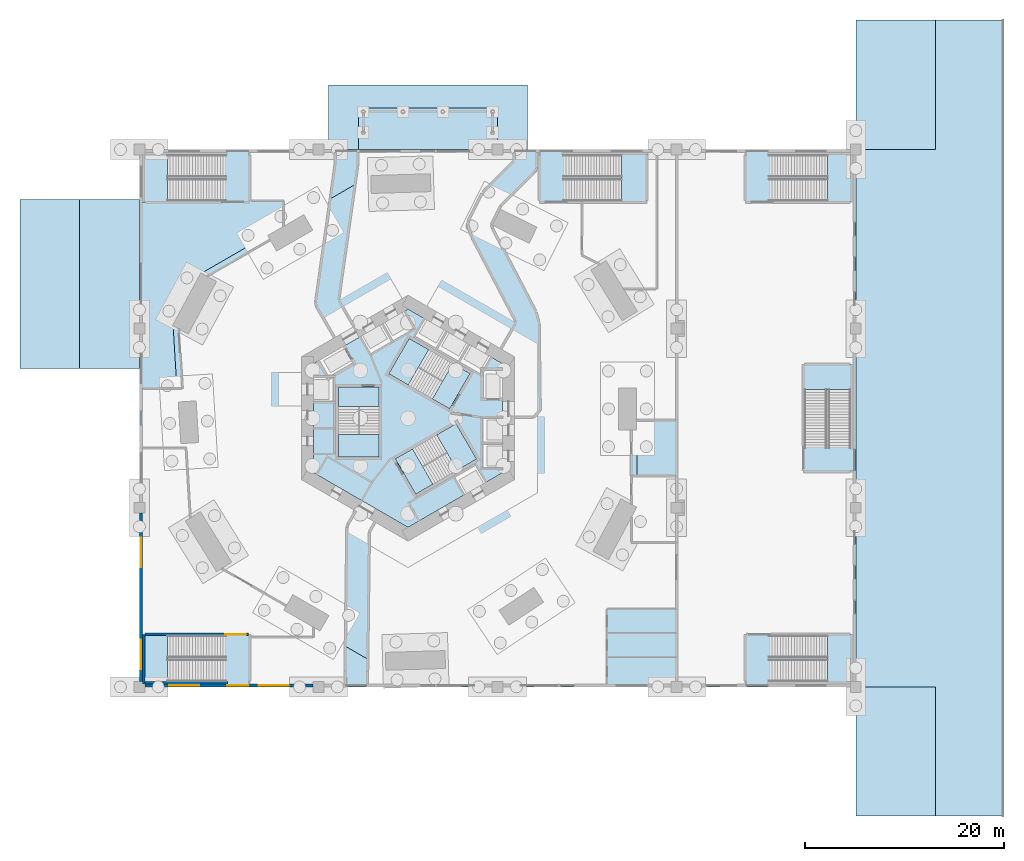
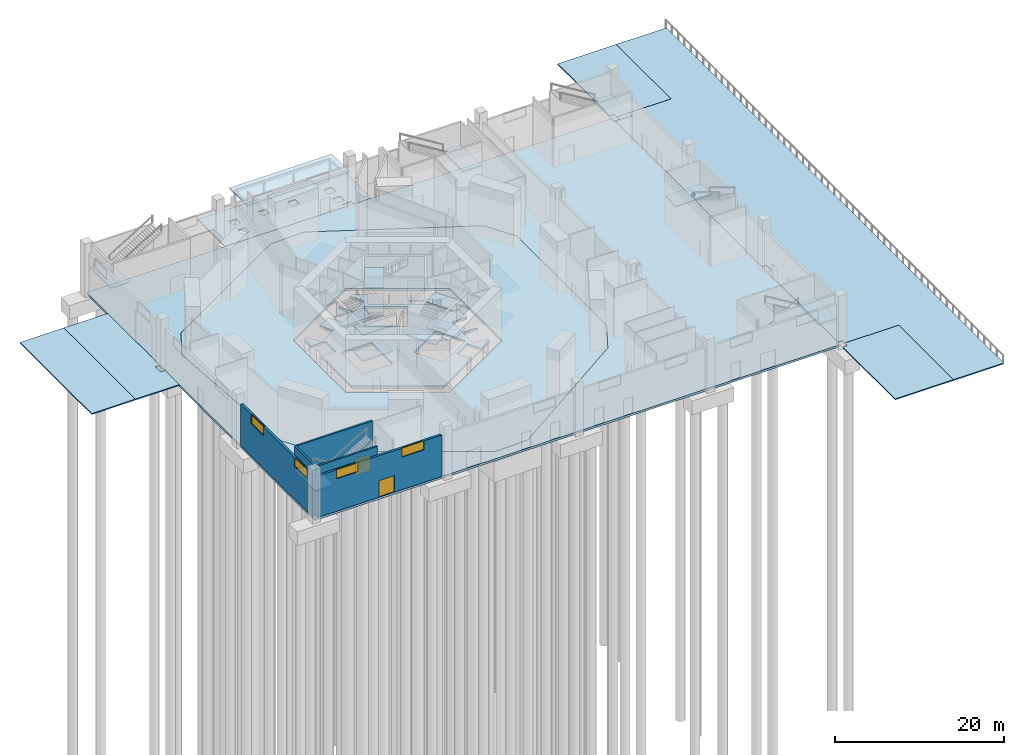
# One storey, part 5 of 16: 25 slabs, 5 walls, 4 windows, 2 doors, 6 openings, 9 elements without a shape of their own.
"""IFC4 building model written with IfcOpenShell, lengths in metres."""

from ifc_helpers import new_model, si_unit, direction, frame, frame_2d, origin, place, context, subcontext, project, spatial, polyline, rectangle, outline, extrude, material, layer, layer_set, type_object, element, fill, aggregate, save


model = new_model("IFC4")

# Units and contexts
model_context = context("Model", 3, precision=1e-05, world=origin(), true_north=direction((0.0, 1.0)))
body_context = subcontext(model_context, "Body", "Model", "MODEL_VIEW")
ifc_project = project(units=[si_unit("LENGTHUNIT", "METRE"), si_unit("AREAUNIT", "SQUARE_METRE"), si_unit("VOLUMEUNIT", "CUBIC_METRE"), si_unit("PLANEANGLEUNIT", "RADIAN"), si_unit("MASSUNIT", "GRAM", prefix="KILO")], contexts=[model_context])

# Site, building, storey
site_placement = place(None, origin())
site = spatial("IfcSite", under=ifc_project, at=site_placement, CompositionType="ELEMENT")
building_placement = place(site_placement, origin())
building = spatial("IfcBuilding", under=site, at=building_placement, Name="Vanh Sen Convention Tower", CompositionType="ELEMENT")
storey_placement = place(building_placement, origin())
storey = spatial("IfcBuildingStorey", under=building, at=storey_placement, Name="L00", CompositionType="ELEMENT", Elevation=0.0)

# Slabs
ifc_material_1 = material(Name="Concrete C40/50", Category="concrete")
ifc_layer_1 = layer(ifc_material_1, 0.300048828125)
ifc_layer_set_1 = layer_set([ifc_layer_1], Name="Concrete C40/50")
slab_type_1 = type_object("IfcSlabType", Name="Core ground slab 300", PredefinedType="BASESLAB", material=ifc_layer_set_1)
slab_1_placement = place(storey_placement, frame((0.0, 0.0, -0.300048828125)))
element("IfcSlab", 1, at=slab_1_placement, inside=storey, type_object=slab_type_1, Name="Core slab L00", PredefinedType="BASESLAB", context=body_context, shape_type="SweptSolid", body=[
    extrude(outline(polyline([(9.5, 5.48486328125), (9.5, 4.800048828125), (7.60009765625, 4.800048828125), (7.60009765625, 2.050048828125), (9.5, 2.050048828125), (9.5, 0.0), (7.5, 0.0), (7.5, -2.39990234375), (9.5, -2.39990234375), (9.5, -2.60009765625), (7.5, -2.60009765625), (7.5, -5.0), (9.5, -5.0), (9.5, -5.48486328125), (0.0, -10.9697265625), (-9.5, -5.48486328125), (-9.5, 1.699951171875), (-7.5, 1.699951171875), (-7.5, 4.10009765625), (-9.5, 4.10009765625), (-9.5, 5.48486328125), (-8.906982421875, 5.8271484375), (-7.956787109375, 4.181884765625), (-5.575439453125, 5.556884765625), (-6.525390625, 7.2021484375), (-4.75, 8.227294921875), (-3.75, 6.4951171875), (-1.67138671875, 7.6953125), (-2.67138671875, 9.42724609375), (-2.498291015625, 9.527099609375), (-1.498291015625, 7.795166015625), (0.580078125, 8.9951171875), (-0.419921875, 10.727294921875), (0.0, 10.9697265625), (1.718994140625, 9.977294921875), (0.718994140625, 8.2451171875), (2.79736328125, 7.045166015625), (3.79736328125, 8.777099609375), (3.970703125, 8.67724609375), (2.970703125, 6.9453125), (5.049072265625, 5.7451171875), (6.049072265625, 7.477294921875), (6.22216796875, 7.377197265625), (5.22216796875, 5.645263671875), (7.30078125, 4.4453125), (8.30078125, 6.17724609375), (9.5, 5.48486328125)]), holes=[polyline([(-7.0, 3.14990234375), (-7.0, -3.909912109375), (-2.89990234375, -3.909912109375), (-2.89990234375, 3.14990234375), (-2.89990234375, 1.1494140625), (-7.0, 1.1494140625), (-7.0, 3.14990234375)]), polyline([(4.495361328125, 5.487548828125), (6.22802734375, 4.4873046875), (0.11376953125, 8.01708984375), (-1.936279296875, 4.466552734375), (2.4453125, 1.936767578125), (4.495361328125, 5.487548828125)]), polyline([(7.781005859375, -6.477294921875), (6.781005859375, -4.7451171875), (4.70263671875, -5.9453125), (5.70263671875, -7.67724609375), (7.781005859375, -6.477294921875)]), polyline([(0.45458984375, -3.086181640625), (2.504638671875, -6.63671875), (6.88623046875, -4.107177734375), (4.836181640625, -0.556396484375), (-1.278076171875, -4.08642578125), (0.45458984375, -3.086181640625)])]), origin(), (0.0, 0.0, 1.0), 0.300048828125),
])
ifc_material_2 = material(Name="Steel S355", Category="steel")
ifc_layer_2 = layer(ifc_material_2, 0.199951171875)
ifc_layer_set_2 = layer_set([ifc_layer_2], Name="Steel S355")
slab_type_2 = type_object("IfcSlabType", Name="Entrance canopy 200", PredefinedType="USERDEFINED", material=ifc_layer_set_2)
slab_2_placement = place(storey_placement, frame((0.0, 0.0, 4.699951171875)))
element("IfcSlab", 2, at=slab_2_placement, inside=storey, type_object=slab_type_2, Name="Drop-off canopy", ObjectType="CANOPY", PredefinedType="USERDEFINED", context=body_context, shape_type="SweptSolid", body=[
    extrude(outline(polyline([(-5.0, 27.0), (9.0, 27.0), (9.0, 31.199951171875), (-5.0, 31.199951171875), (-5.0, 27.0)])), origin(), (0.0, 0.0, 1.0), 0.199951171875),
])
ifc_material_3 = material(Name="Granite paving on a bedding course", Category="masonry")
ifc_layer_3 = layer(ifc_material_3, 0.14990234375)
ifc_layer_set_3 = layer_set([ifc_layer_3], Name="Granite paving on a bedding course")
slab_type_3 = type_object("IfcSlabType", Name="Granite paving 150", PredefinedType="USERDEFINED", material=ifc_layer_set_3)
slab_3_placement = place(storey_placement, frame((0.0, 0.0, -0.14990234375)))
element("IfcSlab", 3, at=slab_3_placement, inside=storey, type_object=slab_type_3, Name="Paving promenade", ObjectType="PAVING", PredefinedType="USERDEFINED", context=body_context, shape_type="SweptSolid", body=[
    extrude(outline(polyline([(45.0, -26.39990234375), (45.60009765625, -26.39990234375), (45.60009765625, -27.0), (53.0, -27.0), (53.0, -40.0), (59.89990234375, -40.0), (59.89990234375, 40.0), (53.0, 40.0), (53.0, 27.0), (45.60009765625, 27.0), (45.60009765625, 26.39990234375), (45.0, 26.39990234375), (45.0, 9.60009765625), (45.60009765625, 9.60009765625), (45.60009765625, 8.39990234375), (45.0, 8.39990234375), (45.0, -8.39990234375), (45.60009765625, -8.39990234375), (45.60009765625, -9.60009765625), (45.0, -9.60009765625), (45.0, -26.39990234375)])), origin(), (0.0, 0.0, 1.0), 0.14990234375),
])
slab_4_placement = place(storey_placement, frame((0.0, 0.0, -0.14990234375)))
element("IfcSlab", 4, at=slab_4_placement, inside=storey, type_object=slab_type_3, Name="Paving north apron", ObjectType="PAVING", PredefinedType="USERDEFINED", context=body_context, shape_type="SweptSolid", body=[
    extrude(outline(polyline([(45.0, 27.60009765625), (45.60009765625, 27.60009765625), (45.60009765625, 27.0), (53.0, 27.0), (53.0, 40.0), (45.0, 40.0), (45.0, 27.60009765625)])), origin(), (0.0, 0.0, 1.0), 0.14990234375),
])
slab_5_placement = place(storey_placement, frame((0.0, 0.0, -0.14990234375)))
element("IfcSlab", 5, at=slab_5_placement, inside=storey, type_object=slab_type_3, Name="Paving south apron", ObjectType="PAVING", PredefinedType="USERDEFINED", context=body_context, shape_type="SweptSolid", body=[
    extrude(outline(polyline([(45.60009765625, -27.0), (45.60009765625, -27.60009765625), (45.0, -27.60009765625), (45.0, -40.0), (53.0, -40.0), (53.0, -27.0), (45.60009765625, -27.0)])), origin(), (0.0, 0.0, 1.0), 0.14990234375),
])
slab_6_placement = place(storey_placement, frame((0.0, 0.0, -0.14990234375)))
element("IfcSlab", 6, at=slab_6_placement, inside=storey, type_object=slab_type_3, Name="Paving service yard", ObjectType="PAVING", PredefinedType="USERDEFINED", context=body_context, shape_type="SweptSolid", body=[
    extrude(outline(polyline([(-33.0, 5.0), (-33.0, 22.0), (-39.0, 22.0), (-39.0, 5.0), (-33.0, 5.0)])), origin(), (0.0, 0.0, 1.0), 0.14990234375),
])
slab_7_placement = place(storey_placement, frame((0.0, 0.0, -0.14990234375)))
element("IfcSlab", 7, at=slab_7_placement, inside=storey, type_object=slab_type_3, Name="Paving loading apron", ObjectType="PAVING", PredefinedType="USERDEFINED", context=body_context, shape_type="SweptSolid", body=[
    extrude(outline(polyline([(-27.0, 8.39990234375), (-27.60009765625, 8.39990234375), (-27.60009765625, 9.60009765625), (-27.0, 9.60009765625), (-27.0, 22.0), (-33.0, 22.0), (-33.0, 5.0), (-27.0, 5.0), (-27.0, 8.39990234375)])), origin(), (0.0, 0.0, 1.0), 0.14990234375),
])
slab_8_placement = place(storey_placement, frame((0.0, 0.0, -0.14990234375)))
element("IfcSlab", 8, at=slab_8_placement, inside=storey, type_object=slab_type_3, Name="Paving north forecourt", ObjectType="PAVING", PredefinedType="USERDEFINED", context=body_context, shape_type="SweptSolid", body=[
    extrude(outline(polyline([(-8.0, 27.0), (8.39990234375, 27.0), (8.39990234375, 27.60009765625), (9.60009765625, 27.60009765625), (9.60009765625, 27.0), (12.0, 27.0), (12.0, 33.5), (-8.0, 33.5), (-8.0, 27.0)]), holes=[polyline([(-4.0, 28.199951171875), (-4.0, 29.199951171875), (-5.0, 29.199951171875), (-5.0, 28.199951171875), (-4.0, 28.199951171875)]), polyline([(9.0, 28.199951171875), (9.0, 29.199951171875), (8.0, 29.199951171875), (8.0, 28.199951171875), (9.0, 28.199951171875)]), polyline([(-4.0, 31.300048828125), (-5.0, 31.300048828125), (-5.0, 30.300048828125), (-4.0, 30.300048828125), (-4.0, 31.300048828125)]), polyline([(0.0, 30.300048828125), (0.0, 31.300048828125), (-1.0, 31.300048828125), (-1.0, 30.300048828125), (0.0, 30.300048828125)]), polyline([(4.0, 30.300048828125), (4.0, 31.300048828125), (3.0, 31.300048828125), (3.0, 30.300048828125), (4.0, 30.300048828125)]), polyline([(9.0, 31.300048828125), (8.0, 31.300048828125), (8.0, 30.300048828125), (9.0, 30.300048828125), (9.0, 31.300048828125)])]), origin(), (0.0, 0.0, 1.0), 0.14990234375),
])
ifc_layer_4 = layer(ifc_material_1, 0.300048828125)
ifc_layer_set_4 = layer_set([ifc_layer_4], Name="Concrete C40/50")
slab_type_4 = type_object("IfcSlabType", Name="Ground slab 300 REI 120", PredefinedType="BASESLAB", material=ifc_layer_set_4)
slab_9_placement = place(storey_placement, frame((0.0, 0.0, -0.300048828125)))
element("IfcSlab", 9, at=slab_9_placement, inside=storey, type_object=slab_type_4, Name="Ground slab L00 tower", PredefinedType="BASESLAB", context=body_context, shape_type="SweptSolid", body=[
    extrude(outline(polyline([(23.0, -9.69921875), (23.0, 11.57373046875), (20.620361328125, 15.419189453125), (1.58251953125, 24.911376953125), (-3.10009765625, 24.768310546875), (-21.523193359375, 14.131591796875), (-23.663818359375, 10.14794921875), (-22.364990234375, -11.085205078125), (-19.89990234375, -15.069091796875), (-1.476806640625, -25.705322265625), (3.04345703125, -25.5673828125), (20.78271484375, -13.825927734375), (23.0, -9.69921875)]), holes=[polyline([(0.0, 12.355224609375), (-10.699951171875, 6.177490234375), (-10.699951171875, -6.177490234375), (0.0, -12.355224609375), (10.699951171875, -6.177490234375), (10.699951171875, 6.177490234375), (0.0, 12.355224609375)])]), origin(), (0.0, 0.0, 1.0), 0.300048828125),
])
slab_10_placement = place(storey_placement, frame((0.0, 0.0, -0.300048828125)))
element("IfcSlab", 10, at=slab_10_placement, inside=storey, type_object=slab_type_4, Name="Ground slab L00 wing", PredefinedType="BASESLAB", context=body_context, shape_type="SweptSolid", body=[
    extrude(outline(polyline([(-27.0, -27.0), (45.0, -27.0), (45.0, 27.0), (-27.0, 27.0), (-27.0, -27.0)]), holes=[polyline([(23.0, 11.57373046875), (20.620361328125, 15.419189453125), (1.58251953125, 24.911376953125), (-3.10009765625, 24.768310546875), (-21.523193359375, 14.131591796875), (-23.663818359375, 10.14794921875), (-22.364990234375, -11.085205078125), (-19.89990234375, -15.069091796875), (-1.476806640625, -25.705322265625), (3.04345703125, -25.5673828125), (20.78271484375, -13.825927734375), (23.0, -9.69921875), (23.0, 11.57373046875)])]), origin(), (0.0, 0.0, 1.0), 0.300048828125),
])

# Stair, slab
stair_type_1 = type_object("IfcStairType", Name="Podium exit stair 2200", PredefinedType="HALF_TURN_STAIR", material=ifc_material_1)
stair_1_placement = place(storey_placement, origin())
stair_1 = element("IfcStair", 11, at=stair_1_placement, inside=storey, type_object=stair_type_1, Name="Exit stair PS1 L00", PredefinedType="HALF_TURN_STAIR")
ifc_layer_5 = layer(ifc_material_1, 0.199951171875)
ifc_layer_set_5 = layer_set([ifc_layer_5], Name="Concrete C40/50")
slab_type_5 = type_object("IfcSlabType", Name="Podium stair landing 200", PredefinedType="LANDING", material=ifc_layer_set_5)
slab_11_placement = place(storey_placement, frame((0.0, 0.0, 3.550048828125)))
slab_11 = element("IfcSlab", 12, at=slab_11_placement, type_object=slab_type_5, Name="PS1 landing 1", PredefinedType="LANDING", context=body_context, shape_type="SweptSolid", body=[
    extrude(outline(polyline([(42.17919921875, 21.72509765625), (44.699951171875, 21.72509765625), (44.699951171875, 26.699951171875), (42.17919921875, 26.699951171875), (42.17919921875, 21.72509765625)])), origin(), (0.0, 0.0, 1.0), 0.199951171875),
])
aggregate(stair_1, [slab_11])

stair_2_placement = place(storey_placement, origin())
stair_2 = element("IfcStair", 13, at=stair_2_placement, inside=storey, type_object=stair_type_1, Name="Exit stair PS2 L00", PredefinedType="HALF_TURN_STAIR")
slab_12_placement = place(storey_placement, frame((0.0, 0.0, 3.550048828125)))
slab_12 = element("IfcSlab", 14, at=slab_12_placement, type_object=slab_type_5, Name="PS2 landing 1", PredefinedType="LANDING", context=body_context, shape_type="SweptSolid", body=[
    extrude(outline(polyline([(42.17919921875, -21.72509765625), (44.699951171875, -21.72509765625), (44.699951171875, -26.699951171875), (42.17919921875, -26.699951171875), (42.17919921875, -21.72509765625)])), origin(), (0.0, 0.0, 1.0), 0.199951171875),
])
aggregate(stair_2, [slab_12])

stair_3_placement = place(storey_placement, origin())
stair_3 = element("IfcStair", 15, at=stair_3_placement, inside=storey, type_object=stair_type_1, Name="Exit stair PS3 L00", PredefinedType="HALF_TURN_STAIR")
slab_13_placement = place(storey_placement, frame((0.0, 0.0, 3.550048828125)))
slab_13 = element("IfcSlab", 16, at=slab_13_placement, type_object=slab_type_5, Name="PS3 landing 1", PredefinedType="LANDING", context=body_context, shape_type="SweptSolid", body=[
    extrude(outline(polyline([(39.72509765625, 2.87939453125), (39.72509765625, 5.39990234375), (44.699951171875, 5.39990234375), (44.699951171875, 2.87939453125), (39.72509765625, 2.87939453125)])), origin(), (0.0, 0.0, 1.0), 0.199951171875),
])
aggregate(stair_3, [slab_13])

stair_4_placement = place(storey_placement, origin())
stair_4 = element("IfcStair", 17, at=stair_4_placement, inside=storey, type_object=stair_type_1, Name="Exit stair PS4 L00", PredefinedType="HALF_TURN_STAIR")
slab_14_placement = place(storey_placement, frame((0.0, 0.0, 3.550048828125)))
slab_14 = element("IfcSlab", 18, at=slab_14_placement, type_object=slab_type_5, Name="PS4 landing 1", PredefinedType="LANDING", context=body_context, shape_type="SweptSolid", body=[
    extrude(outline(polyline([(21.479248046875, 21.72509765625), (24.0, 21.72509765625), (24.0, 26.699951171875), (21.479248046875, 26.699951171875), (21.479248046875, 21.72509765625)])), origin(), (0.0, 0.0, 1.0), 0.199951171875),
])
aggregate(stair_4, [slab_14])

stair_5_placement = place(storey_placement, origin())
stair_5 = element("IfcStair", 19, at=stair_5_placement, inside=storey, type_object=stair_type_1, Name="Exit stair PS5 L00", PredefinedType="HALF_TURN_STAIR")
slab_15_placement = place(storey_placement, frame((0.0, 0.0, 3.550048828125)))
slab_15 = element("IfcSlab", 20, at=slab_15_placement, type_object=slab_type_5, Name="PS5 landing 1", PredefinedType="LANDING", context=body_context, shape_type="SweptSolid", body=[
    extrude(outline(polyline([(-24.17919921875, 21.72509765625), (-26.699951171875, 21.72509765625), (-26.699951171875, 26.699951171875), (-24.17919921875, 26.699951171875), (-24.17919921875, 21.72509765625)])), origin(), (0.0, 0.0, 1.0), 0.199951171875),
])
aggregate(stair_5, [slab_15])

stair_6_placement = place(storey_placement, origin())
stair_6 = element("IfcStair", 21, at=stair_6_placement, inside=storey, type_object=stair_type_1, Name="Exit stair PS6 L00", PredefinedType="HALF_TURN_STAIR")
slab_16_placement = place(storey_placement, frame((0.0, 0.0, 3.550048828125)))
slab_16 = element("IfcSlab", 22, at=slab_16_placement, type_object=slab_type_5, Name="PS6 landing 1", PredefinedType="LANDING", context=body_context, shape_type="SweptSolid", body=[
    extrude(outline(polyline([(-24.17919921875, -21.72509765625), (-26.699951171875, -21.72509765625), (-26.699951171875, -26.699951171875), (-24.17919921875, -26.699951171875), (-24.17919921875, -21.72509765625)])), origin(), (0.0, 0.0, 1.0), 0.199951171875),
])
aggregate(stair_6, [slab_16])

# Stair, slabs
ifc_material_4 = material(Name="Concrete C50/60", Category="concrete")
stair_type_2 = type_object("IfcStairType", Name="Exit stair ST1 44 risers at 170.5", PredefinedType="HALF_TURN_STAIR", material=ifc_material_4)
stair_7_placement = place(storey_placement, origin())
stair_7 = element("IfcStair", 23, at=stair_7_placement, inside=storey, type_object=stair_type_2, Name="Exit stair ST1 L00", PredefinedType="HALF_TURN_STAIR")
ifc_layer_6 = layer(ifc_material_1, 0.199951171875)
ifc_layer_set_6 = layer_set([ifc_layer_6], Name="Concrete C40/50")
slab_type_6 = type_object("IfcSlabType", Name="Stair landing 200", PredefinedType="LANDING", material=ifc_layer_set_6)
slab_17_placement = place(storey_placement, frame((0.0, 0.0, 1.675048828125)))
slab_17 = element("IfcSlab", 24, at=slab_17_placement, type_object=slab_type_6, Name="ST1 landing 1", PredefinedType="LANDING", context=body_context, shape_type="SweptSolid", body=[
    extrude(outline(polyline([(2.07177734375, 6.88671875), (0.11376953125, 8.01708984375), (-1.936279296875, 4.466552734375), (0.021728515625, 3.336181640625), (2.07177734375, 6.88671875)])), origin(), (0.0, 0.0, 1.0), 0.199951171875),
])
slab_18_placement = place(storey_placement, frame((0.0, 0.0, 3.550048828125)))
slab_18 = element("IfcSlab", 25, at=slab_18_placement, type_object=slab_type_6, Name="ST1 landing 2", PredefinedType="LANDING", context=body_context, shape_type="SweptSolid", body=[
    extrude(outline(polyline([(6.22802734375, 4.4873046875), (4.495361328125, 5.487548828125), (2.4453125, 1.936767578125), (4.177978515625, 0.9365234375), (6.22802734375, 4.4873046875)])), origin(), (0.0, 0.0, 1.0), 0.199951171875),
])
slab_19_placement = place(storey_placement, frame((0.0, 0.0, 5.425048828125)))
slab_19 = element("IfcSlab", 26, at=slab_19_placement, type_object=slab_type_6, Name="ST1 landing 3", PredefinedType="LANDING", context=body_context, shape_type="SweptSolid", body=[
    extrude(outline(polyline([(2.07177734375, 6.88671875), (0.11376953125, 8.01708984375), (-1.936279296875, 4.466552734375), (0.021728515625, 3.336181640625), (2.07177734375, 6.88671875)])), origin(), (0.0, 0.0, 1.0), 0.199951171875),
])
aggregate(stair_7, [slab_17, slab_18, slab_19])

stair_type_3 = type_object("IfcStairType", Name="Exit stair ST2 44 risers at 170.5", PredefinedType="HALF_TURN_STAIR", material=ifc_material_4)
stair_8_placement = place(storey_placement, origin())
stair_8 = element("IfcStair", 27, at=stair_8_placement, inside=storey, type_object=stair_type_3, Name="Exit stair ST2 L00", PredefinedType="HALF_TURN_STAIR")
slab_20_placement = place(storey_placement, frame((0.0, 0.0, 1.675048828125)))
slab_20 = element("IfcSlab", 28, at=slab_20_placement, type_object=slab_type_6, Name="ST2 landing 1", PredefinedType="LANDING", context=body_context, shape_type="SweptSolid", body=[
    extrude(outline(polyline([(-7.0, -1.6494140625), (-7.0, -3.909912109375), (-2.89990234375, -3.909912109375), (-2.89990234375, -1.6494140625), (-7.0, -1.6494140625)])), origin(), (0.0, 0.0, 1.0), 0.199951171875),
])
slab_21_placement = place(storey_placement, frame((0.0, 0.0, 3.550048828125)))
slab_21 = element("IfcSlab", 29, at=slab_21_placement, type_object=slab_type_6, Name="ST2 landing 2", PredefinedType="LANDING", context=body_context, shape_type="SweptSolid", body=[
    extrude(outline(polyline([(-7.0, 3.14990234375), (-7.0, 1.1494140625), (-2.89990234375, 1.1494140625), (-2.89990234375, 3.14990234375), (-7.0, 3.14990234375)])), origin(), (0.0, 0.0, 1.0), 0.199951171875),
])
slab_22_placement = place(storey_placement, frame((0.0, 0.0, 5.425048828125)))
slab_22 = element("IfcSlab", 30, at=slab_22_placement, type_object=slab_type_6, Name="ST2 landing 3", PredefinedType="LANDING", context=body_context, shape_type="SweptSolid", body=[
    extrude(outline(polyline([(-7.0, -1.6494140625), (-7.0, -3.909912109375), (-2.89990234375, -3.909912109375), (-2.89990234375, -1.6494140625), (-7.0, -1.6494140625)])), origin(), (0.0, 0.0, 1.0), 0.199951171875),
])
aggregate(stair_8, [slab_20, slab_21, slab_22])

stair_type_4 = type_object("IfcStairType", Name="Exit stair ST3 44 risers at 170.5", PredefinedType="HALF_TURN_STAIR", material=ifc_material_4)
stair_9_placement = place(storey_placement, origin())
stair_9 = element("IfcStair", 31, at=stair_9_placement, inside=storey, type_object=stair_type_4, Name="Exit stair ST3 L00", PredefinedType="HALF_TURN_STAIR")
slab_23_placement = place(storey_placement, frame((0.0, 0.0, 1.675048828125)))
slab_23 = element("IfcSlab", 32, at=slab_23_placement, type_object=slab_type_6, Name="ST3 landing 1", PredefinedType="LANDING", context=body_context, shape_type="SweptSolid", body=[
    extrude(outline(polyline([(4.92822265625, -5.237548828125), (6.88623046875, -4.107177734375), (4.836181640625, -0.556396484375), (2.87841796875, -1.686767578125), (4.92822265625, -5.237548828125)])), origin(), (0.0, 0.0, 1.0), 0.199951171875),
])
slab_24_placement = place(storey_placement, frame((0.0, 0.0, 3.550048828125)))
slab_24 = element("IfcSlab", 33, at=slab_24_placement, type_object=slab_type_6, Name="ST3 landing 2", PredefinedType="LANDING", context=body_context, shape_type="SweptSolid", body=[
    extrude(outline(polyline([(0.77197265625, -7.63720703125), (2.504638671875, -6.63671875), (0.45458984375, -3.086181640625), (-1.278076171875, -4.08642578125), (0.77197265625, -7.63720703125)])), origin(), (0.0, 0.0, 1.0), 0.199951171875),
])
slab_25_placement = place(storey_placement, frame((0.0, 0.0, 5.425048828125)))
slab_25 = element("IfcSlab", 34, at=slab_25_placement, type_object=slab_type_6, Name="ST3 landing 3", PredefinedType="LANDING", context=body_context, shape_type="SweptSolid", body=[
    extrude(outline(polyline([(4.92822265625, -5.237548828125), (6.88623046875, -4.107177734375), (4.836181640625, -0.556396484375), (2.87841796875, -1.686767578125), (4.92822265625, -5.237548828125)])), origin(), (0.0, 0.0, 1.0), 0.199951171875),
])
aggregate(stair_9, [slab_23, slab_24, slab_25])

# Wall, opening, door
ifc_layer_7 = layer(ifc_material_1, 0.25)
ifc_layer_set_7 = layer_set([ifc_layer_7], Name="Concrete C40/50")
wall_type_1 = type_object("IfcWallType", Name="Concrete wall 250 REI 180", PredefinedType="SOLIDWALL", material=ifc_layer_set_7)
wall_1_placement = place(storey_placement, frame((-26.43994140625, -21.72509765625, 0.0), z_axis=(0.0, 0.0, 1.0), x_axis=(1.0, 0.0, 0.0)))
wall_1 = element("IfcWall", 35, at=wall_1_placement, inside=storey, type_object=wall_type_1, Name="Fire-resisting wall L00-012", PredefinedType="SOLIDWALL", context=body_context, shape_type="SweptSolid", body=[
    extrude(rectangle(XDim=10.39990234375, YDim=0.25, at=frame_2d((5.199951171875, 0.0))), origin(), (0.0, 0.0, 1.0), 7.199951171875),
])
opening_1_placement = place(wall_1_placement, frame((8.050048828125, 0.0, 0.0)))
opening_1 = element("IfcOpeningElement", 36, at=opening_1_placement, cuts=wall_1, Name="Opening D00103", PredefinedType="OPENING", context=body_context, shape_type="SweptSolid", body=[
    extrude(rectangle(XDim=2.10009765625, YDim=2.39990234375, at=frame_2d((1.050048828125, 1.199951171875))), frame((0.0, 0.135009765625, 0.0), z_axis=(0.0, -1.0, 0.0), x_axis=(1.0, 0.0, 0.0)), (0.0, 0.0, 1.0), 0.27001953125),
])
ifc_material_5 = material(Name="Steel S355", Category="steel")
door_type_1 = type_object("IfcDoorType", Name="Stair door 2100 EI 60", OperationType="DOUBLE_DOOR_SINGLE_SWING", PredefinedType="DOOR", material=ifc_material_5)
door_1_placement = place(opening_1_placement, frame((2.10009765625, 0.0, 0.0), z_axis=(0.0, 0.0, 1.0), x_axis=(-1.0, 0.0, 0.0)))
door_1 = element("IfcDoor", 37, at=door_1_placement, inside=storey, type_object=door_type_1, Name="Stair door D00103", OperationType="DOUBLE_DOOR_SINGLE_SWING", OverallHeight=2.39990234375, OverallWidth=2.10009765625, PredefinedType="DOOR", context=body_context, shape_type="SweptSolid", body=[
    extrude(rectangle(XDim=2.10009765625, YDim=2.39990234375, at=frame_2d((1.050048828125, 1.199951171875))), frame((0.0, 0.02490234375, 0.0), z_axis=(0.0, -1.0, 0.0), x_axis=(1.0, 0.0, 0.0)), (0.0, 0.0, 1.0), 0.050048828125),
])
fill(opening_1, door_1)

# Walls
wall_2_placement = place(storey_placement, frame((-26.574951171875, -21.72509765625, 0.0), z_axis=(0.0, 0.0, 1.0), x_axis=(0.0, -1.0, 0.0)))
element("IfcWall", 38, at=wall_2_placement, inside=storey, type_object=wall_type_1, Name="Stair enclosure wall PS6 L00", PredefinedType="SOLIDWALL", context=body_context, shape_type="SweptSolid", body=[
    extrude(rectangle(XDim=4.974853515625, YDim=0.25, at=frame_2d((2.4873046875, 0.0))), origin(), (0.0, 0.0, 1.0), 7.199951171875),
])
wall_3_placement = place(storey_placement, frame((-26.449951171875, -26.574951171875, 0.0), z_axis=(0.0, 0.0, 1.0), x_axis=(1.0, 0.0, 0.0)))
element("IfcWall", 39, at=wall_3_placement, inside=storey, type_object=wall_type_1, Name="Stair enclosure wall PS6 L00", PredefinedType="SOLIDWALL", context=body_context, shape_type="SweptSolid", body=[
    extrude(rectangle(XDim=8.300048828125, YDim=0.25, at=frame_2d((4.14990234375, 0.0))), origin(), (0.0, 0.0, 1.0), 7.199951171875),
])

# Wall, openings, door, windows
ifc_material_6 = material(Name="Concrete C50/60", Category="concrete")
ifc_layer_8 = layer(ifc_material_6, 0.300048828125)
ifc_layer_set_8 = layer_set([ifc_layer_8], Name="Concrete C50/60")
wall_type_2 = type_object("IfcWallType", Name="Podium wall 300", PredefinedType="STANDARD", material=ifc_layer_set_8)
wall_4_placement = place(storey_placement, frame((-26.449951171875, -26.85009765625, 0.0), z_axis=(0.0, 0.0, 1.0), x_axis=(1.0, 0.0, 0.0)))
wall_4 = element("IfcWall", 40, at=wall_4_placement, inside=storey, type_object=wall_type_2, Name="Podium wall S1 L00", PredefinedType="STANDARD", context=body_context, shape_type="SweptSolid", body=[
    extrude(rectangle(XDim=16.89990234375, YDim=0.300048828125, at=frame_2d((8.449951171875, 0.0))), origin(), (0.0, 0.0, 1.0), 6.0),
])
opening_2_placement = place(wall_4_placement, frame((2.449951171875, 0.0, 4.699951171875)))
opening_2 = element("IfcOpeningElement", 41, at=opening_2_placement, cuts=wall_4, Name="Opening WP1-S1", PredefinedType="OPENING", context=body_context, shape_type="SweptSolid", body=[
    extrude(rectangle(XDim=3.0, YDim=1.300048828125, at=frame_2d((1.5, 0.64990234375))), frame((0.0, 0.159912109375, 0.0), z_axis=(0.0, -1.0, 0.0), x_axis=(1.0, 0.0, 0.0)), (0.0, 0.0, 1.0), 0.320068359375),
])
opening_3_placement = place(wall_4_placement, frame((11.449951171875, 0.0, 4.699951171875)))
opening_3 = element("IfcOpeningElement", 42, at=opening_3_placement, cuts=wall_4, Name="Opening WP1-S2", PredefinedType="OPENING", context=body_context, shape_type="SweptSolid", body=[
    extrude(rectangle(XDim=3.0, YDim=1.300048828125, at=frame_2d((1.5, 0.64990234375))), frame((0.0, 0.159912109375, 0.0), z_axis=(0.0, -1.0, 0.0), x_axis=(1.0, 0.0, 0.0)), (0.0, 0.0, 1.0), 0.320068359375),
])
opening_4_placement = place(wall_4_placement, frame((8.300048828125, 0.0, 0.0)))
opening_4 = element("IfcOpeningElement", 43, at=opening_4_placement, cuts=wall_4, Name="Opening PD6", PredefinedType="OPENING", context=body_context, shape_type="SweptSolid", body=[
    extrude(rectangle(XDim=2.10009765625, YDim=2.39990234375, at=frame_2d((1.050048828125, 1.199951171875))), frame((0.0, 0.159912109375, 0.0), z_axis=(0.0, -1.0, 0.0), x_axis=(1.0, 0.0, 0.0)), (0.0, 0.0, 1.0), 0.320068359375),
])
ifc_material_7 = material(Name="Aluminium and glass entrance door", Category="aluminium")
door_type_2 = type_object("IfcDoorType", Name="Entrance door 2100", OperationType="DOUBLE_DOOR_SINGLE_SWING", PredefinedType="DOOR", material=ifc_material_7)
door_2_placement = place(opening_4_placement, frame((2.10009765625, 0.0, 0.0), z_axis=(0.0, 0.0, 1.0), x_axis=(-1.0, 0.0, 0.0)))
door_2 = element("IfcDoor", 44, at=door_2_placement, inside=storey, type_object=door_type_2, Name="Entrance door PD6", OperationType="DOUBLE_DOOR_SINGLE_SWING", OverallHeight=2.39990234375, OverallWidth=2.10009765625, PredefinedType="DOOR", context=body_context, shape_type="SweptSolid", body=[
    extrude(rectangle(XDim=2.10009765625, YDim=2.39990234375, at=frame_2d((1.050048828125, 1.199951171875))), frame((0.0, 0.02490234375, 0.0), z_axis=(0.0, -1.0, 0.0), x_axis=(1.0, 0.0, 0.0)), (0.0, 0.0, 1.0), 0.050048828125),
])
fill(opening_4, door_2)
ifc_material_8 = material(Name="Aluminium frame with clear low-emissivity glass", Category="aluminium")
window_type = type_object("IfcWindowType", Name="Podium window 3000 x 1300", PartitioningType="SINGLE_PANEL", PredefinedType="WINDOW", material=ifc_material_8)
window_1_placement = place(opening_2_placement, origin())
window_1 = element("IfcWindow", 45, at=window_1_placement, inside=storey, type_object=window_type, Name="Window WP1-S1", OverallHeight=1.300048828125, OverallWidth=3.0, PartitioningType="SINGLE_PANEL", PredefinedType="WINDOW", context=body_context, shape_type="SweptSolid", body=[
    extrude(rectangle(XDim=3.0, YDim=1.300048828125, at=frame_2d((1.5, 0.64990234375))), frame((0.0, 0.030029296875, 0.0), z_axis=(0.0, -1.0, 0.0), x_axis=(1.0, 0.0, 0.0)), (0.0, 0.0, 1.0), 0.06005859375),
])
fill(opening_2, window_1)
window_2_placement = place(opening_3_placement, origin())
window_2 = element("IfcWindow", 46, at=window_2_placement, inside=storey, type_object=window_type, Name="Window WP1-S2", OverallHeight=1.300048828125, OverallWidth=3.0, PartitioningType="SINGLE_PANEL", PredefinedType="WINDOW", context=body_context, shape_type="SweptSolid", body=[
    extrude(rectangle(XDim=3.0, YDim=1.300048828125, at=frame_2d((1.5, 0.64990234375))), frame((0.0, 0.030029296875, 0.0), z_axis=(0.0, -1.0, 0.0), x_axis=(1.0, 0.0, 0.0)), (0.0, 0.0, 1.0), 0.06005859375),
])
fill(opening_3, window_2)

# Wall, openings, windows
wall_5_placement = place(storey_placement, frame((-26.85009765625, -9.550048828125, 0.0), z_axis=(0.0, 0.0, 1.0), x_axis=(0.0, -1.0, 0.0)))
wall_5 = element("IfcWall", 47, at=wall_5_placement, inside=storey, type_object=wall_type_2, Name="Podium wall W3 L00", PredefinedType="STANDARD", context=body_context, shape_type="SweptSolid", body=[
    extrude(rectangle(XDim=16.89990234375, YDim=0.300048828125, at=frame_2d((8.449951171875, 0.0))), origin(), (0.0, 0.0, 1.0), 6.0),
])
opening_5_placement = place(wall_5_placement, frame((2.449951171875, 0.0, 4.699951171875)))
opening_5 = element("IfcOpeningElement", 48, at=opening_5_placement, cuts=wall_5, Name="Opening WP1-W5", PredefinedType="OPENING", context=body_context, shape_type="SweptSolid", body=[
    extrude(rectangle(XDim=3.0, YDim=1.300048828125, at=frame_2d((1.5, 0.64990234375))), frame((0.0, 0.159912109375, 0.0), z_axis=(0.0, -1.0, 0.0), x_axis=(1.0, 0.0, 0.0)), (0.0, 0.0, 1.0), 0.320068359375),
])
opening_6_placement = place(wall_5_placement, frame((12.699951171875, 0.0, 4.699951171875)))
opening_6 = element("IfcOpeningElement", 49, at=opening_6_placement, cuts=wall_5, Name="Opening WP1-W6", PredefinedType="OPENING", context=body_context, shape_type="SweptSolid", body=[
    extrude(rectangle(XDim=3.0, YDim=1.300048828125, at=frame_2d((1.5, 0.64990234375))), frame((0.0, 0.159912109375, 0.0), z_axis=(0.0, -1.0, 0.0), x_axis=(1.0, 0.0, 0.0)), (0.0, 0.0, 1.0), 0.320068359375),
])
window_3_placement = place(opening_5_placement, origin())
window_3 = element("IfcWindow", 50, at=window_3_placement, inside=storey, type_object=window_type, Name="Window WP1-W5", OverallHeight=1.300048828125, OverallWidth=3.0, PartitioningType="SINGLE_PANEL", PredefinedType="WINDOW", context=body_context, shape_type="SweptSolid", body=[
    extrude(rectangle(XDim=3.0, YDim=1.300048828125, at=frame_2d((1.5, 0.64990234375))), frame((0.0, 0.030029296875, 0.0), z_axis=(0.0, -1.0, 0.0), x_axis=(1.0, 0.0, 0.0)), (0.0, 0.0, 1.0), 0.06005859375),
])
fill(opening_5, window_3)
window_4_placement = place(opening_6_placement, origin())
window_4 = element("IfcWindow", 51, at=window_4_placement, inside=storey, type_object=window_type, Name="Window WP1-W6", OverallHeight=1.300048828125, OverallWidth=3.0, PartitioningType="SINGLE_PANEL", PredefinedType="WINDOW", context=body_context, shape_type="SweptSolid", body=[
    extrude(rectangle(XDim=3.0, YDim=1.300048828125, at=frame_2d((1.5, 0.64990234375))), frame((0.0, 0.030029296875, 0.0), z_axis=(0.0, -1.0, 0.0), x_axis=(1.0, 0.0, 0.0)), (0.0, 0.0, 1.0), 0.06005859375),
])
fill(opening_6, window_4)

save(model, "model.ifc")
